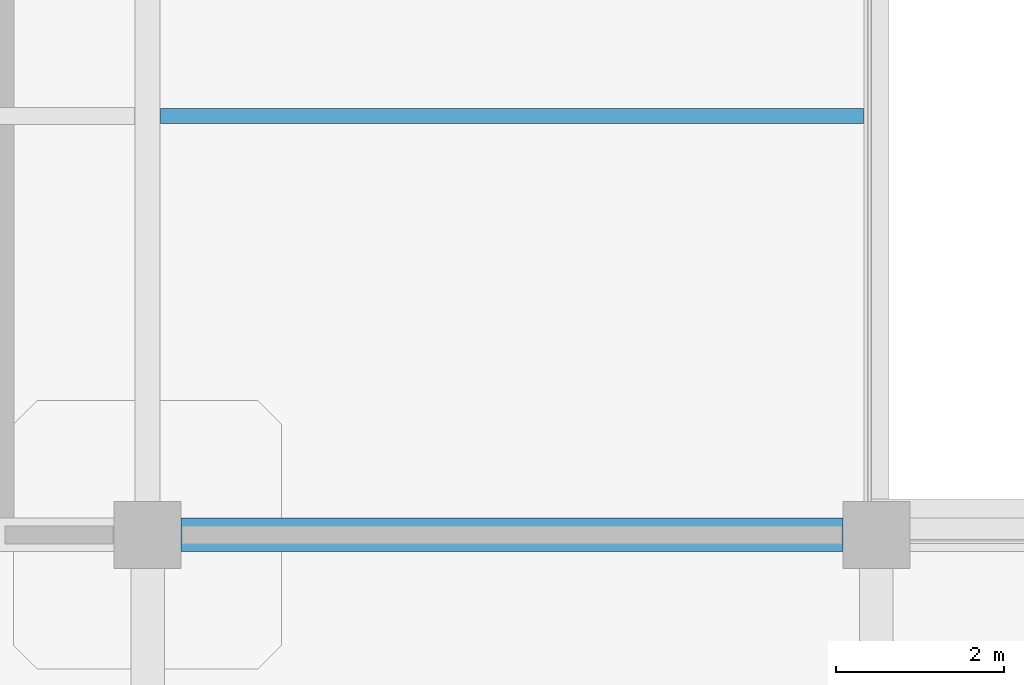
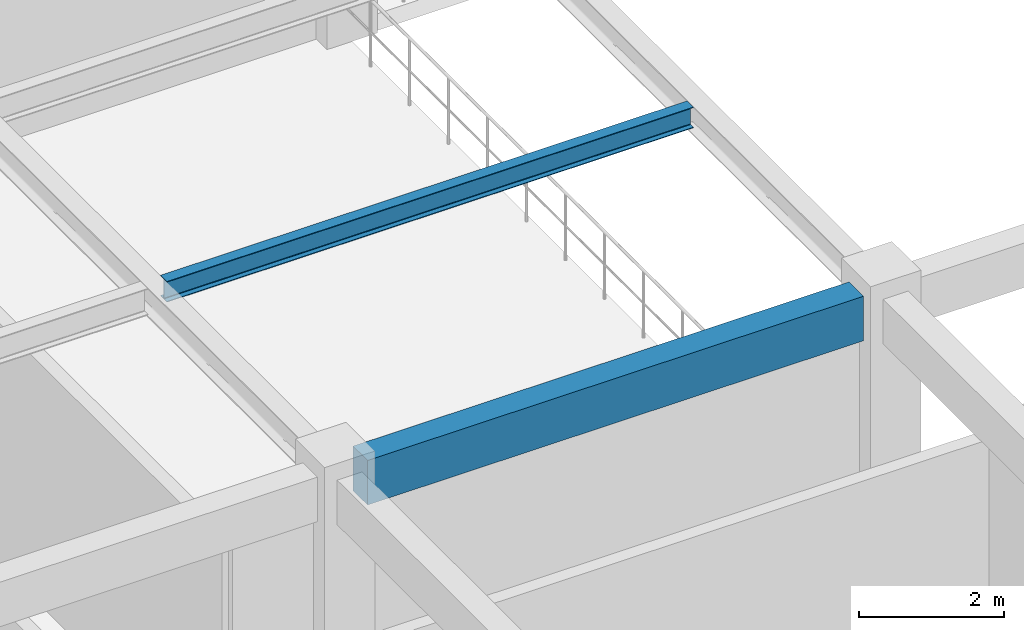
# One storey, part 24 of 124: 2 beams.
"""IFC4 building model written with IfcOpenShell, lengths in metres."""

from ifc_helpers import new_model, si_unit, derived_unit, direction, frame, origin, origin_2d, place, context, subcontext, project, spatial, rectangle, i_section, extrude, material, material_profile, profile_set, type_object, element, save


model = new_model("IFC4")

# Units and contexts
model_context = context("Model", 3, precision=1e-05, world=origin(), true_north=direction((0.0, 1.0)))
body_context = subcontext(model_context, "Body", "Model", "MODEL_VIEW")
ifc_project = project(units=[si_unit("LENGTHUNIT", "METRE"), si_unit("AREAUNIT", "SQUARE_METRE"), si_unit("VOLUMEUNIT", "CUBIC_METRE"), si_unit("PLANEANGLEUNIT", "RADIAN"), si_unit("MASSUNIT", "GRAM", prefix="KILO"), derived_unit("THERMALTRANSMITTANCEUNIT", [(si_unit("MASSUNIT", "GRAM", prefix="KILO"), 1), (si_unit("TIMEUNIT", "SECOND"), -3), (si_unit("THERMODYNAMICTEMPERATUREUNIT", "KELVIN"), -1)])], contexts=[model_context])

# Site, building, storey
site_placement = place(None, origin())
site = spatial("IfcSite", under=ifc_project, at=site_placement, CompositionType="ELEMENT")
building_placement = place(site_placement, origin())
building = spatial("IfcBuilding", under=site, at=building_placement, Name="Qinzheling Arcade Emporium", CompositionType="ELEMENT")
storey_placement = place(building_placement, frame((0.0, 0.0, 16.5)))
storey = spatial("IfcBuildingStorey", under=building, at=storey_placement, Name="L04", CompositionType="ELEMENT", Elevation=16.5)

# Beams
ifc_material_1 = material(Name="Structural steel Q355B", Category="steel")
ifc_material_profile_1 = material_profile(ifc_material_1, i_section(OverallWidth=0.175048828125, OverallDepth=0.35009765625, WebThickness=0.007080078125, FlangeThickness=0.010986328125, FilletRadius=0.013916015625, at=origin_2d()), Name="HN 350x175x7x11", Category="steel")
ifc_profile_set_1 = profile_set([ifc_material_profile_1], Name="Structural steel Q355B")
beam_type_1 = type_object("IfcBeamType", Name="Canopy Secondary Joist HN350 Q355B", PredefinedType="JOIST", material=ifc_profile_set_1)
beam_1_placement = place(storey_placement, frame((43.655029296875, 55.39990234375, 4.64501953125), z_axis=(1.0, 0.0, 0.0), x_axis=(0.0, 1.0, 0.0)))
element("IfcBeam", 1, at=beam_1_placement, inside=storey, type_object=beam_type_1, Name="Secondary Joist JST-L04-6-1", PredefinedType="JOIST", context=body_context, shape_type="SweptSolid", body=[
    extrude(i_section(OverallWidth=0.175048828125, OverallDepth=0.35009765625, WebThickness=0.007080078125, FlangeThickness=0.010986328125, FilletRadius=0.013916015625, at=origin_2d()), origin(), (0.0, 0.0, 1.0), 8.389892578125),
])
ifc_material_2 = material(Name="Concrete C40", Category="concrete")
ifc_material_profile_2 = material_profile(ifc_material_2, rectangle(XDim=0.39990234375, YDim=0.75, at=origin_2d()), Name="RC 400x750", Category="concrete")
ifc_profile_set_2 = profile_set([ifc_material_profile_2], Name="Concrete C40")
beam_type_2 = type_object("IfcBeamType", Name="RC Interior Tie Beam 400x750 C40", PredefinedType="BEAM", material=ifc_profile_set_2)
beam_2_placement = place(storey_placement, frame((43.89990234375, 50.39990234375, 4.445068359375), z_axis=(1.0, 0.0, 0.0), x_axis=(0.0, 1.0, 0.0)))
element("IfcBeam", 2, at=beam_2_placement, inside=storey, type_object=beam_type_2, Name="Beam BM-L04-X-G-6", PredefinedType="BEAM", context=body_context, shape_type="SweptSolid", body=[
    extrude(rectangle(XDim=0.39990234375, YDim=0.75, at=origin_2d()), origin(), (0.0, 0.0, 1.0), 7.900146484375),
])

save(model, "model.ifc")
